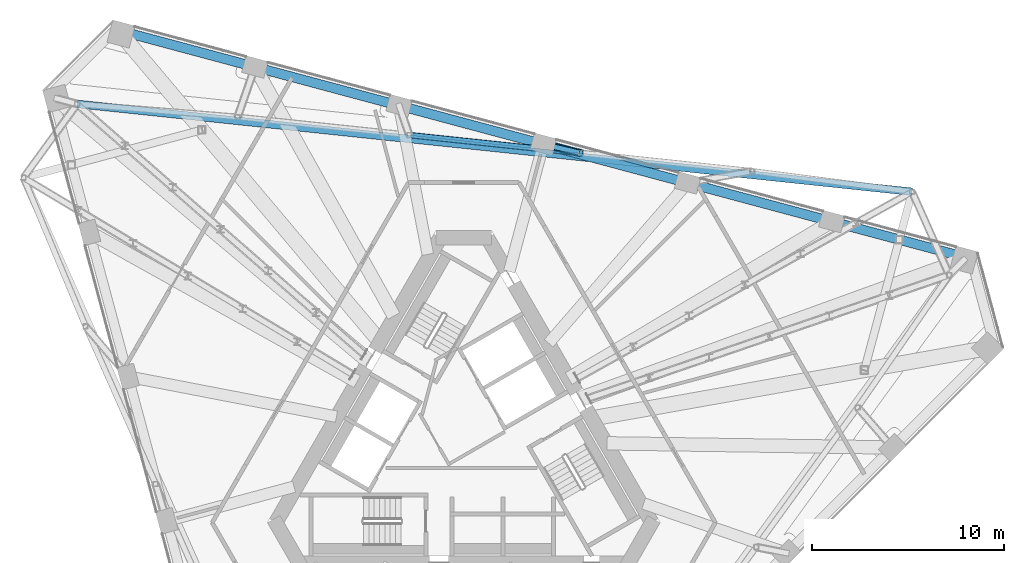
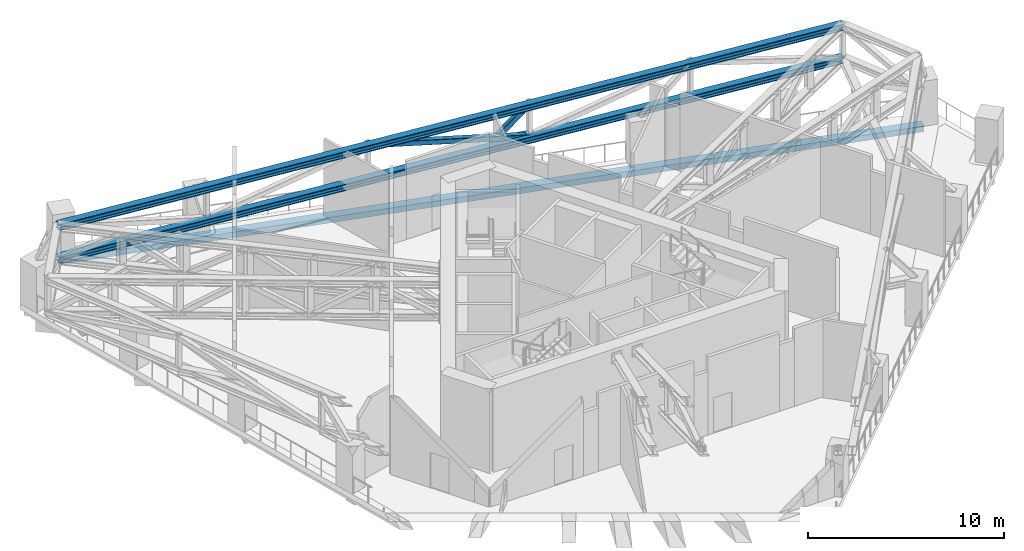
# One storey, part 11 of 22: 5 members, 1 beam.
"""IFC4 building model written with IfcOpenShell, lengths in metres."""

from ifc_helpers import new_model, si_unit, direction, frame, origin, origin_2d, place, context, subcontext, project, spatial, rectangle, hollow_rectangle, i_section, extrude, material, material_profile, profile_set, type_object, element, save


model = new_model("IFC4")

# Units and contexts
model_context = context("Model", 3, precision=1e-05, world=origin(), true_north=direction((0.0, 1.0)))
body_context = subcontext(model_context, "Body", "Model", "MODEL_VIEW")
ifc_project = project(units=[si_unit("LENGTHUNIT", "METRE"), si_unit("AREAUNIT", "SQUARE_METRE"), si_unit("VOLUMEUNIT", "CUBIC_METRE"), si_unit("PLANEANGLEUNIT", "RADIAN"), si_unit("MASSUNIT", "GRAM", prefix="KILO")], contexts=[model_context])

# Site, building, storey
site_placement = place(None, origin())
site = spatial("IfcSite", under=ifc_project, at=site_placement, CompositionType="ELEMENT")
building_placement = place(site_placement, origin())
building = spatial("IfcBuilding", under=site, at=building_placement, Name="Tramontana Tower", CompositionType="ELEMENT")
storey_placement = place(building_placement, frame((0.0, 0.0, 232.0)))
storey = spatial("IfcBuildingStorey", under=building, at=storey_placement, Name="L54", CompositionType="ELEMENT", Elevation=232.0)

# Members
ifc_material_1 = material(Name="Steel ASTM A500 Grade C", Category="steel")
ifc_material_profile_1 = material_profile(ifc_material_1, hollow_rectangle(XDim=0.3046875, YDim=0.3046875, WallThickness=0.01171875, InnerFilletRadius=0.01171875, OuterFilletRadius=0.023681640625, at=origin_2d()), Name="HSS12X12X1/2")
ifc_profile_set_1 = profile_set([ifc_material_profile_1], Name="Steel ASTM A500 Grade C")
member_type_1 = type_object("IfcMemberType", Name="Belt truss HSS12X12X1/2 brace", PredefinedType="BRACE", material=ifc_profile_set_1)
member_1_placement = place(storey_placement, frame((6.109375, 15.043701171875, 2.603271484375), z_axis=(-0.969870208519, 0.101959426375, 0.221260150053), x_axis=(-0.104550735118, -0.99451955425, 0.0)))
element("IfcMember", 1, at=member_1_placement, inside=storey, type_object=member_type_1, Name="Belt truss diagonal S2.3", PredefinedType="BRACE", context=body_context, shape_type="SweptSolid", body=[
    extrude(hollow_rectangle(XDim=0.3046875, YDim=0.3046875, WallThickness=0.01171875, InnerFilletRadius=0.01171875, OuterFilletRadius=0.023681640625, at=origin_2d()), origin(), (0.0, 0.0, 1.0), 9.235595703125),
])
ifc_material_2 = material(Name="Steel ASTM A992 Grade 50", Category="steel")
ifc_material_profile_2 = material_profile(ifc_material_2, i_section(OverallWidth=0.4033203125, OverallDepth=0.406494140625, WebThickness=0.027099609375, FlangeThickness=0.04443359375, FilletRadius=0.01513671875, at=origin_2d()), Name="W14X233")
ifc_profile_set_2 = profile_set([ifc_material_profile_2], Name="Steel ASTM A992 Grade 50")
member_type_2 = type_object("IfcMemberType", Name="Belt truss W14X233 chord", PredefinedType="CHORD", material=ifc_profile_set_2)
for number, where, z_axis, x_axis, name in (
    (2, (23.40625, 13.024658203125, 2.603271484375), (-0.994521433335, 0.104532859132, 0.0), (-0.104532859132, -0.994521433335, 0.0), "Belt truss bottom chord S2"),
    (3, (23.40625, 13.024658203125, 4.646728515625), (-0.994521433335, 0.104532859132, 0.0), (-0.104532859132, -0.994521433335, 0.0), "Belt truss top chord S2"),
):
    element("IfcMember", number, at=place(storey_placement, frame(where, z_axis=z_axis, x_axis=x_axis)), inside=storey, type_object=member_type_2, Name=name, PredefinedType="CHORD", context=body_context, shape_type="SweptSolid", body=[
        extrude(i_section(OverallWidth=0.4033203125, OverallDepth=0.406494140625, WebThickness=0.027099609375, FlangeThickness=0.04443359375, FilletRadius=0.01513671875, at=origin_2d()), origin(), (0.0, 0.0, 1.0), 43.83349609375),
    ])

# Beam
ifc_material_3 = material(Name="Concrete 40 MPa", Category="concrete")
ifc_material_profile_3 = material_profile(ifc_material_3, rectangle(XDim=0.5, YDim=0.35009765625, at=origin_2d()), Name="RC EDGE BEAM 500X350 40 MPa")
ifc_profile_set_3 = profile_set([ifc_material_profile_3], Name="Concrete 40 MPa")
beam_type = type_object("IfcBeamType", Name="RC EDGE BEAM 500X350 40 MPa", PredefinedType="SPANDREL", material=ifc_profile_set_3)
beam_placement = place(storey_placement, frame((26.160400390625, 9.6064453125, -0.52490234375), z_axis=(-0.965925569926, 0.25882000186, 0.0), x_axis=(-0.25882000186, -0.965925569926, 0.0)))
element("IfcBeam", 4, at=beam_placement, inside=storey, type_object=beam_type, Name="Spandrel beam S2 L54", PredefinedType="SPANDREL", context=body_context, shape_type="SweptSolid", body=[
    extrude(rectangle(XDim=0.5, YDim=0.35009765625, at=origin_2d()), origin(), (0.0, 0.0, 1.0), 45.565185546875),
])

# Members
ifc_material_4 = material(Name="Steel ASTM A500 Grade C", Category="steel")
ifc_material_profile_4 = material_profile(ifc_material_4, hollow_rectangle(XDim=0.3046875, YDim=0.3046875, WallThickness=0.01171875, InnerFilletRadius=0.01171875, OuterFilletRadius=0.023681640625, at=origin_2d()), Name="HSS12X12X1/2")
ifc_profile_set_4 = profile_set([ifc_material_profile_4], Name="Steel ASTM A500 Grade C")
member_type_3 = type_object("IfcMemberType", Name="Transfer truss HSS12X12X1/2 brace", PredefinedType="BRACE", material=ifc_profile_set_4)
member_2_placement = place(storey_placement, frame((4.154052734375, 15.503173828125, 2.603271484375), z_axis=(0.682407316711, -0.160355920845, 0.713166342973), x_axis=(0.228754780268, 0.973484078198, 0.0)))
element("IfcMember", 5, at=member_2_placement, inside=storey, type_object=member_type_3, Name="Transfer truss strut C6F10 diagonal", PredefinedType="BRACE", context=body_context, shape_type="SweptSolid", body=[
    extrude(hollow_rectangle(XDim=0.3046875, YDim=0.3046875, WallThickness=0.01171875, InnerFilletRadius=0.01171875, OuterFilletRadius=0.023681640625, at=origin_2d()), origin(), (0.0, 0.0, 1.0), 2.865234375),
])
ifc_material_5 = material(Name="Steel ASTM A992 Grade 50", Category="steel")
ifc_material_profile_5 = material_profile(ifc_material_5, i_section(OverallWidth=0.4033203125, OverallDepth=0.406494140625, WebThickness=0.027099609375, FlangeThickness=0.04443359375, FilletRadius=0.01513671875, at=origin_2d()), Name="W14X233")
ifc_profile_set_5 = profile_set([ifc_material_profile_5], Name="Steel ASTM A992 Grade 50")
member_type_4 = type_object("IfcMemberType", Name="Transfer truss W14X233 strut", PredefinedType="STRUT", material=ifc_profile_set_5)
member_3_placement = place(storey_placement, frame((4.154052734375, 15.503173828125, 2.603271484375), z_axis=(0.973484078198, -0.228754780268, 0.0), x_axis=(0.228754780268, 0.973484078198, 0.0)))
element("IfcMember", 6, at=member_3_placement, inside=storey, type_object=member_type_4, Name="Transfer truss strut C6F10 bottom", PredefinedType="STRUT", context=body_context, shape_type="SweptSolid", body=[
    extrude(i_section(OverallWidth=0.4033203125, OverallDepth=0.406494140625, WebThickness=0.027099609375, FlangeThickness=0.04443359375, FilletRadius=0.01513671875, at=origin_2d()), origin(), (0.0, 0.0, 1.0), 2.008544921875),
])

save(model, "model.ifc")
